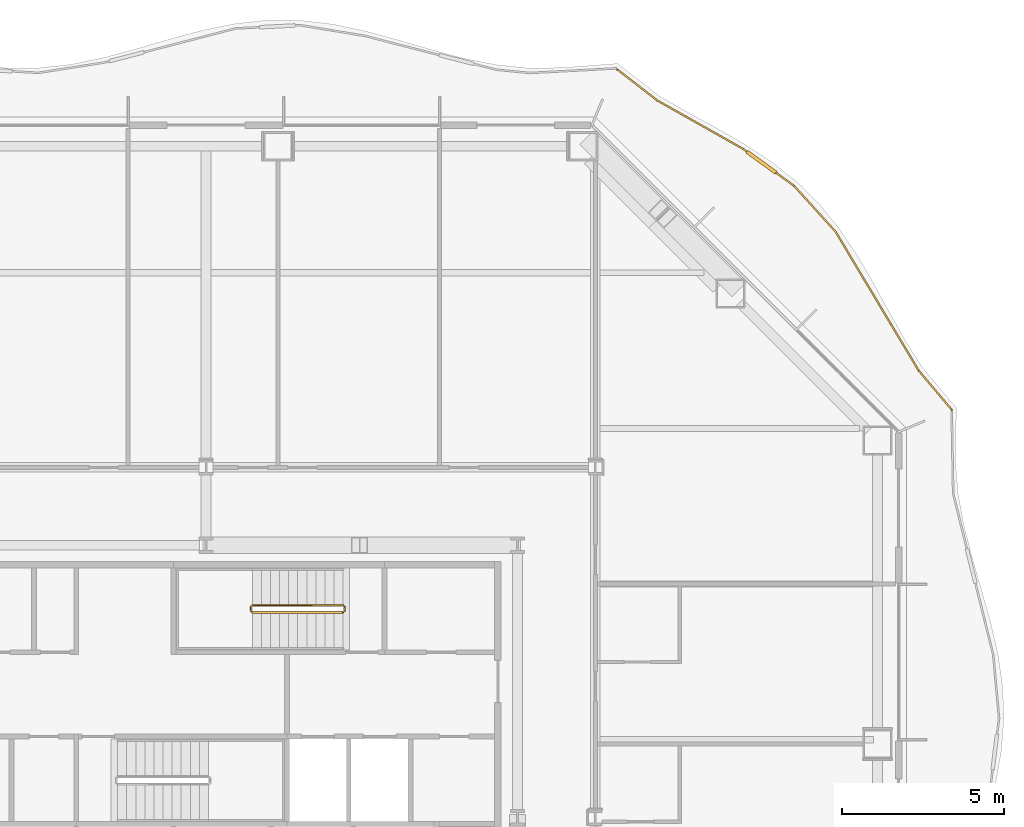
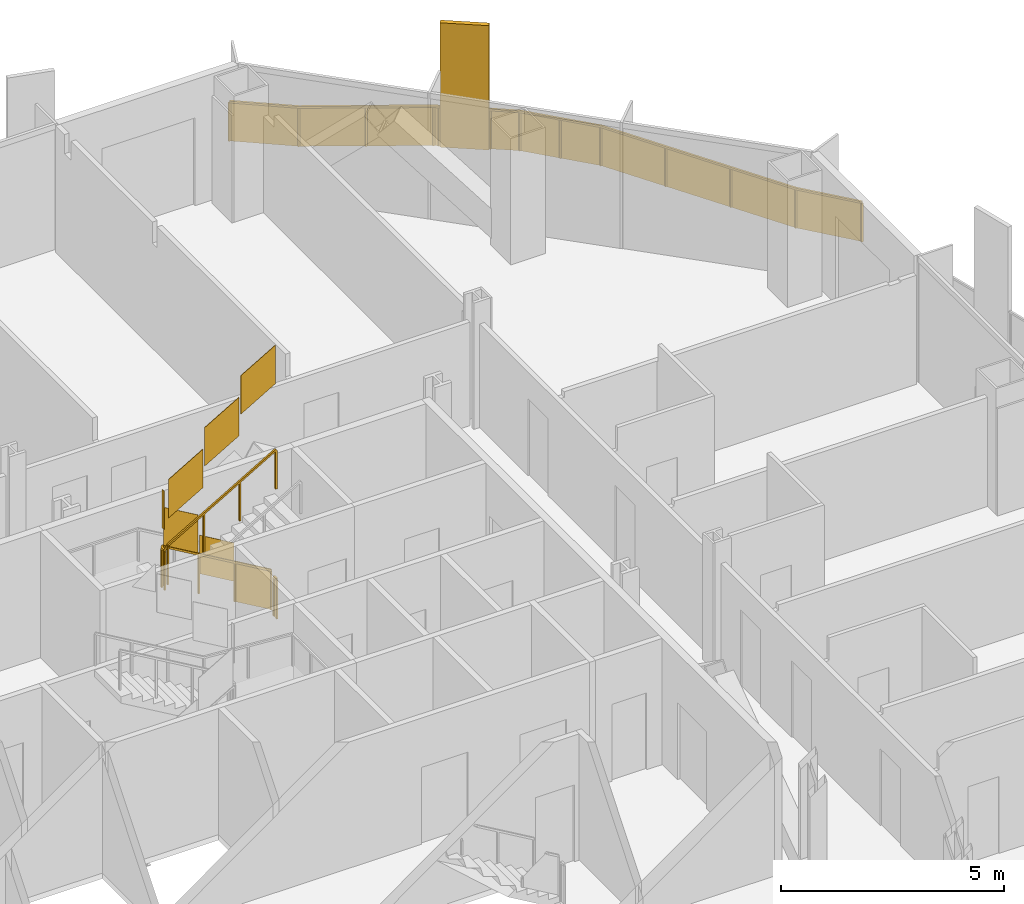
# One storey, part 18 of 18: 3 railings.
"""IFC4 building model written with IfcOpenShell, lengths in metres."""

from ifc_helpers import new_model, si_unit, direction, frame, origin, origin_2d, place, context, subcontext, project, spatial, polyline, rectangle, outline, extrude, material, type_object, element, save


model = new_model("IFC4")

# Units and contexts
model_context = context("Model", 3, precision=1e-05, world=origin(), true_north=direction((0.0, 1.0)))
body_context = subcontext(model_context, "Body", "Model", "MODEL_VIEW")
ifc_project = project(units=[si_unit("LENGTHUNIT", "METRE"), si_unit("AREAUNIT", "SQUARE_METRE"), si_unit("VOLUMEUNIT", "CUBIC_METRE"), si_unit("PLANEANGLEUNIT", "RADIAN"), si_unit("MASSUNIT", "GRAM", prefix="KILO")], contexts=[model_context])

# Site, building, storey
site_placement = place(None, origin())
site = spatial("IfcSite", under=ifc_project, at=site_placement, CompositionType="ELEMENT")
building_placement = place(site_placement, origin())
building = spatial("IfcBuilding", under=site, at=building_placement, Name="Cairn Pilgrim Tower", CompositionType="ELEMENT")
storey_placement = place(building_placement, frame((0.0, 0.0, 65.39990234375)))
storey = spatial("IfcBuildingStorey", under=building, at=storey_placement, Name="L14", CompositionType="ELEMENT", Elevation=65.39990234375)

# Railings
ifc_material_1 = material(Name="Bronze anodised aluminium rail, posts and fin screens with laminated glass infill", Category="aluminium")
railing_type_1 = type_object("IfcRailingType", Name="BALCONY GUARD WITH FIN SCREENS", PredefinedType="GUARDRAIL", material=ifc_material_1)
railing_1_placement = place(storey_placement, frame((30.185546875, 14.9794921875, 0.0)))
element("IfcRailing", 1, at=railing_1_placement, inside=storey, type_object=railing_type_1, Name="Balcony guard BGF-3 with fin screens", PredefinedType="GUARDRAIL", context=body_context, shape_type="SweptSolid", body=[
    extrude(rectangle(XDim=0.050048828125, YDim=0.050048828125, at=origin_2d()), frame((0.0, 0.0, 1.0751953125), z_axis=(-0.645370423582, 0.763869764008, 0.0), x_axis=(-0.763869764008, -0.645370423582, 0.0)), (0.0, 0.0, 1.0), 1.56982421875),
    extrude(rectangle(XDim=0.050048828125, YDim=0.050048828125, at=origin_2d()), frame((-1.01318359375, 1.19921875, 1.0751953125), z_axis=(-0.513345704944, 0.858181907998, 0.0), x_axis=(-0.858181907998, -0.513345704944, 0.0)), (0.0, 0.0, 1.0), 4.9970703125),
    extrude(rectangle(XDim=0.050048828125, YDim=0.050048828125, at=origin_2d()), frame((-3.578369140625, 5.487548828125, 1.0751953125), z_axis=(-0.671712258333, 0.740812150282, 0.0), x_axis=(-0.740812150282, -0.671712258333, 0.0)), (0.0, 0.0, 1.0), 1.911376953125),
    extrude(rectangle(XDim=1.10009765625, YDim=0.110107421875, at=origin_2d()), frame((-5.86669921875, 7.630859375, 0.0), z_axis=(0.0, 0.0, 1.0), x_axis=(-0.809975104533, 0.586464261517, 0.0)), (0.0, 0.0, 1.0), 3.39990234375),
    extrude(rectangle(XDim=0.050048828125, YDim=0.050048828125, at=origin_2d()), frame((-4.8623046875, 6.903564453125, 1.0751953125), z_axis=(-0.809975104533, 0.586464261517, 0.0), x_axis=(-0.586464261517, -0.809975104533, 0.0)), (0.0, 0.0, 1.0), 0.68994140625),
    extrude(rectangle(XDim=0.050048828125, YDim=0.050048828125, at=origin_2d()), frame((-6.312255859375, 7.953369140625, 1.0751953125), z_axis=(-0.809975104533, 0.586464261517, 0.0), x_axis=(-0.586464261517, -0.809975104533, 0.0)), (0.0, 0.0, 1.0), 0.14990234375),
    extrude(rectangle(XDim=0.050048828125, YDim=0.050048828125, at=origin_2d()), frame((-6.43359375, 8.041259765625, 1.0751953125), z_axis=(-0.870968718485, 0.491338469307, 0.0), x_axis=(-0.491338469307, -0.870968718485, 0.0)), (0.0, 0.0, 1.0), 3.0224609375),
    extrude(rectangle(XDim=0.050048828125, YDim=0.050048828125, at=origin_2d()), frame((-9.066162109375, 9.5263671875, 1.0751953125), z_axis=(-0.790889608913, 0.611958843806, 0.0), x_axis=(-0.611958843806, -0.790889608913, 0.0)), (0.0, 0.0, 1.0), 1.562255859375),
    extrude(rectangle(XDim=0.050048828125, YDim=0.050048828125, at=origin_2d()), origin(), (0.0, 0.0, 1.0), 1.050048828125),
    extrude(rectangle(XDim=0.050048828125, YDim=0.050048828125, at=origin_2d()), frame((-1.01318359375, 1.19921875, 0.0)), (0.0, 0.0, 1.0), 1.050048828125),
    extrude(rectangle(XDim=0.050048828125, YDim=0.050048828125, at=origin_2d()), frame((-1.8681640625, 2.628662109375, 0.0)), (0.0, 0.0, 1.0), 1.050048828125),
    extrude(rectangle(XDim=0.050048828125, YDim=0.050048828125, at=origin_2d()), frame((-2.723388671875, 4.05810546875, 0.0)), (0.0, 0.0, 1.0), 1.050048828125),
    extrude(rectangle(XDim=0.050048828125, YDim=0.050048828125, at=origin_2d()), frame((-3.578369140625, 5.487548828125, 0.0)), (0.0, 0.0, 1.0), 1.050048828125),
    extrude(rectangle(XDim=0.050048828125, YDim=0.050048828125, at=origin_2d()), frame((-4.22021484375, 6.195556640625, 0.0)), (0.0, 0.0, 1.0), 1.050048828125),
    extrude(rectangle(XDim=0.050048828125, YDim=0.050048828125, at=origin_2d()), frame((-4.8623046875, 6.903564453125, 0.0)), (0.0, 0.0, 1.0), 1.050048828125),
    extrude(rectangle(XDim=0.050048828125, YDim=0.050048828125, at=origin_2d()), frame((-5.40087890625, 7.29345703125, 0.0)), (0.0, 0.0, 1.0), 1.050048828125),
    extrude(rectangle(XDim=0.050048828125, YDim=0.050048828125, at=origin_2d()), frame((-6.33251953125, 7.968017578125, 0.0)), (0.0, 0.0, 1.0), 1.050048828125),
    extrude(rectangle(XDim=0.050048828125, YDim=0.050048828125, at=origin_2d()), frame((-6.43359375, 8.041259765625, 0.0)), (0.0, 0.0, 1.0), 1.050048828125),
    extrude(rectangle(XDim=0.050048828125, YDim=0.050048828125, at=origin_2d()), frame((-7.75, 8.78369140625, 0.0)), (0.0, 0.0, 1.0), 1.050048828125),
    extrude(rectangle(XDim=0.050048828125, YDim=0.050048828125, at=origin_2d()), frame((-9.066162109375, 9.5263671875, 0.0)), (0.0, 0.0, 1.0), 1.050048828125),
    extrude(rectangle(XDim=0.050048828125, YDim=0.050048828125, at=origin_2d()), frame((-10.3017578125, 10.482421875, 0.0)), (0.0, 0.0, 1.0), 1.050048828125),
    extrude(outline(polyline([(0.02490234375, 0.0), (1.544921875, 0.0), (1.544921875, 1.050048828125), (0.02490234375, 1.050048828125), (0.02490234375, 0.0)])), frame((-0.004638671875, -0.00390625, 0.0), z_axis=(0.763869764008, 0.645370423582, 0.0), x_axis=(-0.645370423582, 0.763869764008, 0.0)), (0.0, 0.0, 1.0), 0.011962890625),
    extrude(outline(polyline([(0.02490234375, 0.0), (1.640625, 0.0), (1.640625, 1.050048828125), (0.02490234375, 1.050048828125), (0.02490234375, 0.0)])), frame((-1.018310546875, 1.196044921875, 0.0), z_axis=(0.858181907998, 0.513345704944, 0.0), x_axis=(-0.513345704944, 0.858181907998, 0.0)), (0.0, 0.0, 1.0), 0.011962890625),
    extrude(outline(polyline([(0.02490234375, 0.0), (1.640625, 0.0), (1.640625, 1.050048828125), (0.02490234375, 1.050048828125), (0.02490234375, 0.0)])), frame((-1.873291015625, 2.62548828125, 0.0), z_axis=(0.858181907998, 0.513345704944, 0.0), x_axis=(-0.513345704944, 0.858181907998, 0.0)), (0.0, 0.0, 1.0), 0.011962890625),
    extrude(outline(polyline([(0.02490234375, 0.0), (1.640625, 0.0), (1.640625, 1.050048828125), (0.02490234375, 1.050048828125), (0.02490234375, 0.0)])), frame((-2.728515625, 4.054931640625, 0.0), z_axis=(0.858181907998, 0.513345704944, 0.0), x_axis=(-0.513345704944, 0.858181907998, 0.0)), (0.0, 0.0, 1.0), 0.011962890625),
    extrude(outline(polyline([(0.02490234375, 0.0), (0.9306640625, 0.0), (0.9306640625, 1.050048828125), (0.02490234375, 1.050048828125), (0.02490234375, 0.0)])), frame((-3.582763671875, 5.483642578125, 0.0), z_axis=(0.740812150282, 0.671712258333, 0.0), x_axis=(-0.671712258333, 0.740812150282, 0.0)), (0.0, 0.0, 1.0), 0.011962890625),
    extrude(outline(polyline([(0.02490234375, 0.0), (0.9306640625, 0.0), (0.9306640625, 1.050048828125), (0.02490234375, 1.050048828125), (0.02490234375, 0.0)])), frame((-4.224853515625, 6.191650390625, 0.0), z_axis=(0.740812150282, 0.671712258333, 0.0), x_axis=(-0.671712258333, 0.740812150282, 0.0)), (0.0, 0.0, 1.0), 0.011962890625),
    extrude(outline(polyline([(0.02490234375, 0.0), (0.639892578125, 0.0), (0.639892578125, 1.050048828125), (0.02490234375, 1.050048828125), (0.02490234375, 0.0)])), frame((-4.86572265625, 6.898681640625, 0.0), z_axis=(0.586464261517, 0.809975104533, 0.0), x_axis=(-0.809975104533, 0.586464261517, 0.0)), (0.0, 0.0, 1.0), 0.011962890625),
    extrude(outline(polyline([(0.02490234375, 0.0), (0.099853515625, 0.0), (0.099853515625, 1.050048828125), (0.02490234375, 1.050048828125), (0.02490234375, 0.0)])), frame((-6.3359375, 7.963134765625, 0.0), z_axis=(0.586464261517, 0.809975104533, 0.0), x_axis=(-0.809975104533, 0.586464261517, 0.0)), (0.0, 0.0, 1.0), 0.011962890625),
    extrude(outline(polyline([(0.02490234375, 0.0), (1.486328125, 0.0), (1.486328125, 1.050048828125), (0.02490234375, 1.050048828125), (0.02490234375, 0.0)])), frame((-6.4365234375, 8.0361328125, 0.0), z_axis=(0.491338469307, 0.870968718485, 0.0), x_axis=(-0.870968718485, 0.491338469307, 0.0)), (0.0, 0.0, 1.0), 0.011962890625),
    extrude(outline(polyline([(0.02490234375, 0.0), (1.486328125, 0.0), (1.486328125, 1.050048828125), (0.02490234375, 1.050048828125), (0.02490234375, 0.0)])), frame((-7.7529296875, 8.778564453125, 0.0), z_axis=(0.491338469307, 0.870968718485, 0.0), x_axis=(-0.870968718485, 0.491338469307, 0.0)), (0.0, 0.0, 1.0), 0.011962890625),
    extrude(outline(polyline([(0.02490234375, 0.0), (1.537353515625, 0.0), (1.537353515625, 1.050048828125), (0.02490234375, 1.050048828125), (0.02490234375, 0.0)])), frame((-9.06982421875, 9.521728515625, 0.0), z_axis=(0.611958843806, 0.790889608913, 0.0), x_axis=(-0.790889608913, 0.611958843806, 0.0)), (0.0, 0.0, 1.0), 0.011962890625),
])
ifc_material_2 = material(Name="Painted steel", Category="steel")
railing_type_2 = type_object("IfcRailingType", Name="STAIR GUARD 1100", PredefinedType="GUARDRAIL", material=ifc_material_2)
railing_2_placement = place(storey_placement, frame((11.425048828125, 8.949951171875, 0.163818359375)))
element("IfcRailing", 2, at=railing_2_placement, inside=storey, type_object=railing_type_2, Name="L14 ST-C stair guard 1", PredefinedType="GUARDRAIL", context=body_context, shape_type="SweptSolid", body=[
    extrude(rectangle(XDim=0.048095703125, YDim=0.048095703125, at=origin_2d()), frame((0.0, 0.0, 1.076171875), z_axis=(-0.863393664356, 0.0, 0.504530851732), x_axis=(0.0, -1.0, 0.0)), (0.0, 0.0, 1.0), 3.2431640625),
    extrude(rectangle(XDim=0.048095703125, YDim=0.048095703125, at=origin_2d()), frame((-2.800048828125, 0.0, 2.71240234375), z_axis=(-0.707106781187, -0.707106781187, 0.0), x_axis=(0.707106781187, -0.707106781187, 0.0)), (0.0, 0.0, 1.0), 0.07080078125),
    extrude(rectangle(XDim=0.048095703125, YDim=0.048095703125, at=origin_2d()), frame((-2.85009765625, -0.050048828125, 2.71240234375), z_axis=(0.0, -1.0, 0.0), x_axis=(1.0, 0.0, 0.0)), (0.0, 0.0, 1.0), 0.125),
    extrude(rectangle(XDim=0.048095703125, YDim=0.048095703125, at=origin_2d()), frame((-2.85009765625, -0.175048828125, 2.71240234375), z_axis=(0.280916556609, -0.279546231943, 0.91811752648), x_axis=(0.705375805398, 0.708833529934, 0.0)), (0.0, 0.0, 1.0), 0.17822265625),
    extrude(rectangle(XDim=0.048095703125, YDim=0.048095703125, at=origin_2d()), frame((-2.800048828125, -0.224853515625, 2.8759765625), z_axis=(0.863360870873, 0.0, 0.504586966384), x_axis=(0.0, 1.0, 0.0)), (0.0, 0.0, 1.0), 3.2431640625),
    extrude(rectangle(XDim=0.0419921875, YDim=0.0419921875, at=origin_2d()), origin(), (0.0, 0.0, 1.0), 1.052001953125),
    extrude(rectangle(XDim=0.0419921875, YDim=0.0419921875, at=origin_2d()), frame((-0.933349609375, 0.0, 0.54541015625)), (0.0, 0.0, 1.0), 1.052001953125),
    extrude(rectangle(XDim=0.0419921875, YDim=0.0419921875, at=origin_2d()), frame((-1.86669921875, 0.0, 1.0908203125)), (0.0, 0.0, 1.0), 1.052001953125),
    extrude(rectangle(XDim=0.0419921875, YDim=0.0419921875, at=origin_2d()), frame((-2.800048828125, 0.0, 1.63623046875)), (0.0, 0.0, 1.0), 1.052001953125),
    extrude(rectangle(XDim=0.0419921875, YDim=0.0419921875, at=origin_2d()), frame((-2.85009765625, -0.050048828125, 1.63623046875)), (0.0, 0.0, 1.0), 1.052001953125),
    extrude(rectangle(XDim=0.0419921875, YDim=0.0419921875, at=origin_2d()), frame((-2.85009765625, -0.175048828125, 1.63623046875)), (0.0, 0.0, 1.0), 1.052001953125),
    extrude(rectangle(XDim=0.0419921875, YDim=0.0419921875, at=origin_2d()), frame((-2.800048828125, -0.224853515625, 1.7998046875)), (0.0, 0.0, 1.0), 1.052001953125),
    extrude(rectangle(XDim=0.0419921875, YDim=0.0419921875, at=origin_2d()), frame((-1.86669921875, -0.224853515625, 2.34521484375)), (0.0, 0.0, 1.0), 1.052001953125),
    extrude(rectangle(XDim=0.0419921875, YDim=0.0419921875, at=origin_2d()), frame((-0.933349609375, -0.224853515625, 2.890869140625)), (0.0, 0.0, 1.0), 1.052001953125),
    extrude(rectangle(XDim=0.0419921875, YDim=0.0419921875, at=origin_2d()), frame((0.0, -0.224853515625, 3.436279296875)), (0.0, 0.0, 1.0), 1.052001953125),
    extrude(outline(polyline([(0.02099609375, 0.01220703125), (0.912353515625, 0.533203125), (0.912353515625, 1.585205078125), (0.02099609375, 1.064208984375), (0.02099609375, 0.01220703125)])), frame((0.0, -0.005859375, 0.0), z_axis=(0.0, 1.0, 0.0), x_axis=(-1.0, 0.0, 0.0)), (0.0, 0.0, 1.0), 0.011962890625),
    extrude(outline(polyline([(0.02099609375, 0.5576171875), (0.912353515625, 1.07861328125), (0.912353515625, 2.130615234375), (0.02099609375, 1.609619140625), (0.02099609375, 0.5576171875)])), frame((-0.933349609375, -0.005859375, 0.54541015625), z_axis=(0.0, 1.0, 0.0), x_axis=(-1.0, 0.0, 0.0)), (0.0, 0.0, 1.0), 0.011962890625),
    extrude(outline(polyline([(0.02099609375, 1.10302734375), (0.912353515625, 1.6240234375), (0.912353515625, 2.676025390625), (0.02099609375, 2.155029296875), (0.02099609375, 1.10302734375)])), frame((-1.86669921875, -0.005859375, 1.0908203125), z_axis=(0.0, 1.0, 0.0), x_axis=(-1.0, 0.0, 0.0)), (0.0, 0.0, 1.0), 0.011962890625),
    extrude(outline(polyline([(0.02099609375, 1.63623046875), (0.10400390625, 1.63623046875), (0.10400390625, 2.688232421875), (0.02099609375, 2.688232421875), (0.02099609375, 1.63623046875)])), frame((-2.84423828125, -0.050048828125, 1.63623046875), z_axis=(-1.0, 0.0, 0.0), x_axis=(0.0, -1.0, 0.0)), (0.0, 0.0, 1.0), 0.011962890625),
    extrude(outline(polyline([(0.02099609375, 1.81201171875), (0.912353515625, 2.3330078125), (0.912353515625, 3.385009765625), (0.02099609375, 2.864013671875), (0.02099609375, 1.81201171875)])), frame((-2.800048828125, -0.21875, 1.7998046875), z_axis=(0.0, -1.0, 0.0), x_axis=(1.0, 0.0, 0.0)), (0.0, 0.0, 1.0), 0.011962890625),
    extrude(outline(polyline([(0.02099609375, 2.357666015625), (0.912353515625, 2.87841796875), (0.912353515625, 3.930419921875), (0.02099609375, 3.40966796875), (0.02099609375, 2.357666015625)])), frame((-1.86669921875, -0.21875, 2.34521484375), z_axis=(0.0, -1.0, 0.0), x_axis=(1.0, 0.0, 0.0)), (0.0, 0.0, 1.0), 0.011962890625),
    extrude(outline(polyline([(0.02099609375, 2.903076171875), (0.912353515625, 3.424072265625), (0.912353515625, 4.47607421875), (0.02099609375, 3.955078125), (0.02099609375, 2.903076171875)])), frame((-0.933349609375, -0.21875, 2.890869140625), z_axis=(0.0, -1.0, 0.0), x_axis=(1.0, 0.0, 0.0)), (0.0, 0.0, 1.0), 0.011962890625),
])
railing_3_placement = place(storey_placement, frame((11.47509765625, 8.89990234375, 0.0)))
element("IfcRailing", 3, at=railing_3_placement, inside=storey, type_object=railing_type_2, Name="L14 ST-C stair guard 2", PredefinedType="GUARDRAIL", context=body_context, shape_type="SweptSolid", body=[
    extrude(rectangle(XDim=0.048095703125, YDim=0.048095703125, at=origin_2d()), frame((0.0, 0.0, 1.076171875), z_axis=(0.0, -1.0, 0.0), x_axis=(1.0, 0.0, 0.0)), (0.0, 0.0, 1.0), 0.125),
    extrude(rectangle(XDim=0.0419921875, YDim=0.0419921875, at=origin_2d()), origin(), (0.0, 0.0, 1.0), 1.052001953125),
    extrude(rectangle(XDim=0.0419921875, YDim=0.0419921875, at=origin_2d()), frame((0.0, -0.125, 0.0)), (0.0, 0.0, 1.0), 1.052001953125),
    extrude(outline(polyline([(0.02099609375, 0.0), (0.10400390625, 0.0), (0.10400390625, 1.052001953125), (0.02099609375, 1.052001953125), (0.02099609375, 0.0)])), frame((0.005859375, 0.0, 0.0), z_axis=(-1.0, 0.0, 0.0), x_axis=(0.0, -1.0, 0.0)), (0.0, 0.0, 1.0), 0.011962890625),
])

save(model, "model.ifc")
